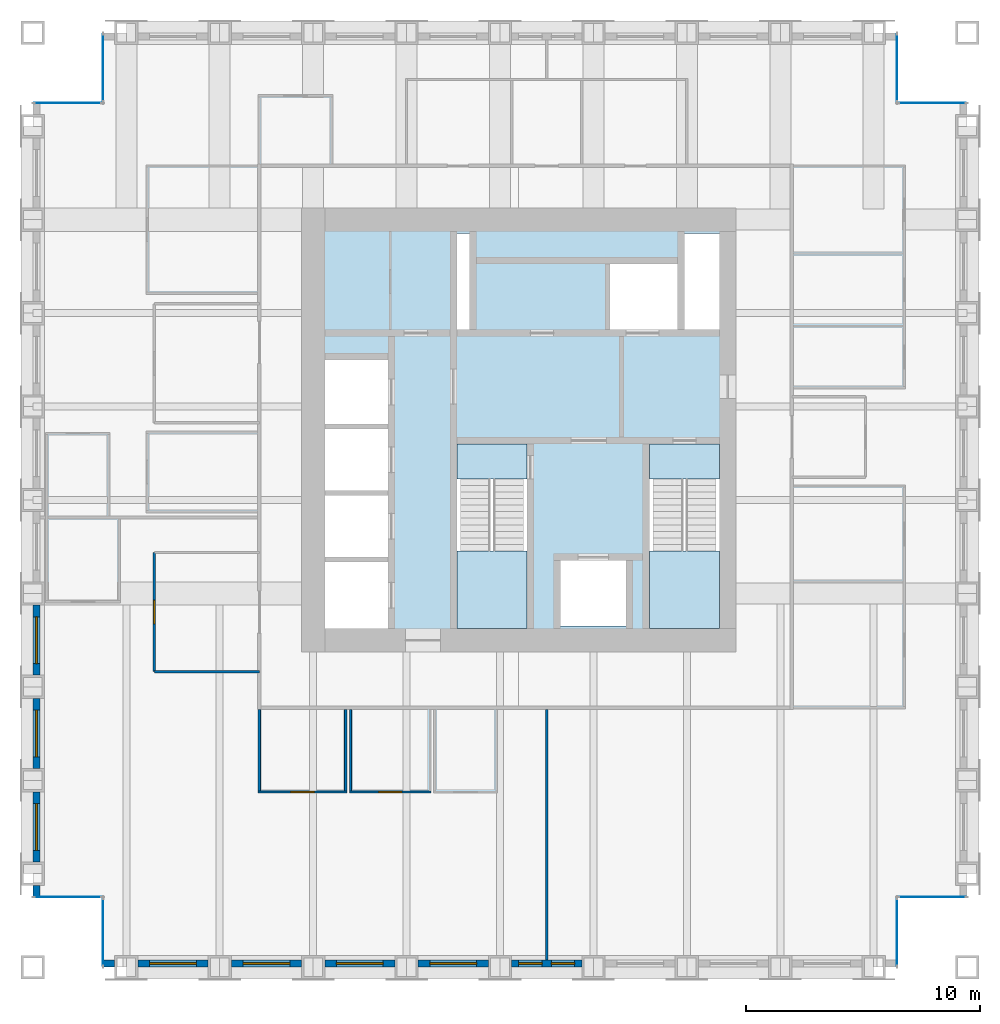
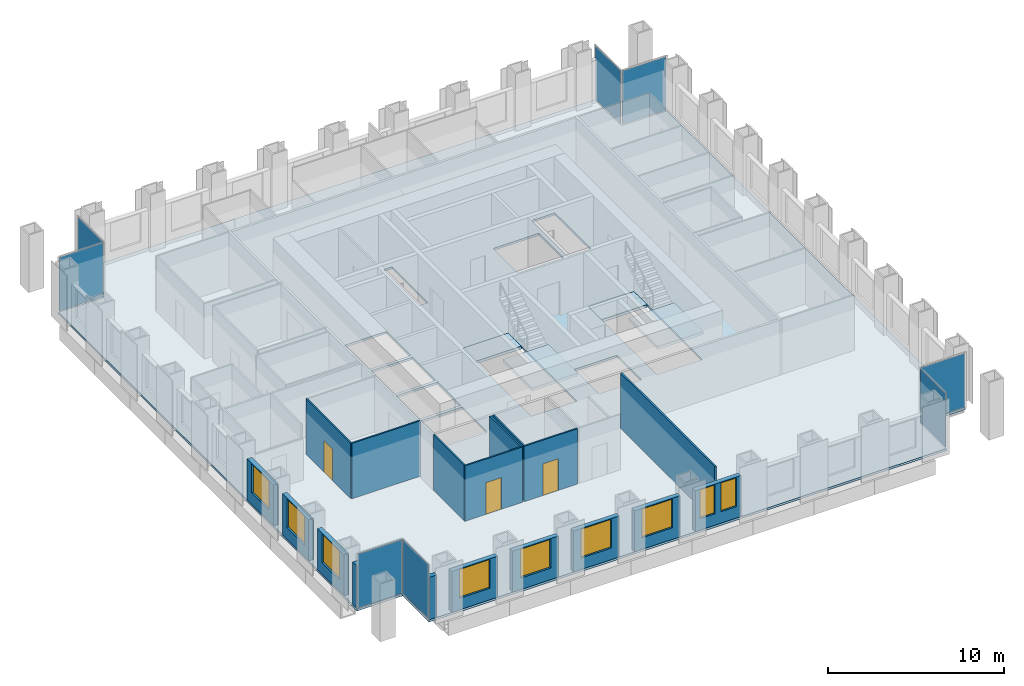
# One storey, part 7 of 13: 18 walls, 9 windows, 8 plates, 5 slabs, 3 doors, 12 openings, 10 elements without a shape of their own.
"""IFC4 building model written with IfcOpenShell, lengths in metres."""

import ifcopenshell
import ifcopenshell.guid

model = None  # the IFC model being written
_history = None  # IfcOwnerHistory: only IFC2X3 demands one
_inside = {}  # id of a spatial element -> (the spatial element, [elements in it])
_under = {}  # id of a project, library or spatial element -> (it, [spatial elements below it])
_declared = {}  # id of a project -> (the project, [libraries it declares])
_typed = {}  # id of a type object -> (the type object, [elements of that type])
_made_of = {}  # id of a material, layer set ... -> (it, [elements and type objects made of it])


def new_model(schema):
    """Start an empty IFC model of exactly this schema.

    Asked for "IFC4X3", IfcOpenShell would pick the latest addendum, in which some entities
    have other attributes; the version numbers below select the first issue.
    IFC2X3 requires an IfcOwnerHistory on every rooted entity: one is made here for all.
    """
    global model, _history
    if schema == "IFC4X3":
        model = ifcopenshell.file(schema_version=(4, 3, 0, 0))
    else:
        model = ifcopenshell.file(schema=schema)
    _inside.clear()
    _under.clear()
    _declared.clear()
    _typed.clear()
    _made_of.clear()
    _history = None
    if model.schema == "IFC2X3":
        org = make("IfcOrganization", Name="unknown")
        user = make(
            "IfcPersonAndOrganization",
            ThePerson=make("IfcPerson", FamilyName="unknown"),
            TheOrganization=org,
        )
        app = make(
            "IfcApplication",
            ApplicationDeveloper=org,
            Version="unknown",
            ApplicationFullName="unknown",
            ApplicationIdentifier="unknown",
        )
        _history = make(
            "IfcOwnerHistory",
            OwningUser=user,
            OwningApplication=app,
            ChangeAction="ADDED",
            CreationDate=0,
        )
    return model


def make(cls, **values):
    """One entity of the class cls with the attributes given. An attribute that is None is left unset."""
    return model.create_entity(
        cls, **{name: value for name, value in values.items() if value is not None}
    )


def rooted(cls, **values):
    """An entity with a GlobalId (a new one), such as an element, a storey or a relation."""
    return make(cls, GlobalId=ifcopenshell.guid.new(), OwnerHistory=_history, **values)


def si_unit(unit_type, name, prefix=None):
    """IfcSIUnit, for example si_unit("LENGTHUNIT", "METRE", prefix="MILLI")."""
    return make("IfcSIUnit", UnitType=unit_type, Prefix=prefix, Name=name)


def assignment(units):
    """IfcUnitAssignment: the units of a project."""
    return None if units is None else make("IfcUnitAssignment", Units=units)


def point(xyz):
    """IfcCartesianPoint."""
    return None if xyz is None else make("IfcCartesianPoint", Coordinates=xyz)


def direction(xyz):
    """IfcDirection."""
    return None if xyz is None else make("IfcDirection", DirectionRatios=xyz)


def frame(location, z_axis=None, x_axis=None):
    """IfcAxis2Placement3D, a coordinate frame: its origin and axes. An axis left out is left unset."""
    return make(
        "IfcAxis2Placement3D",
        Location=point(location),
        Axis=direction(z_axis),
        RefDirection=direction(x_axis),
    )


def frame_2d(location, x_axis=None):
    """IfcAxis2Placement2D, a coordinate frame in the plane: its origin and x axis."""
    return make(
        "IfcAxis2Placement2D", Location=point(location), RefDirection=direction(x_axis)
    )


def origin():
    """The frame at (0, 0, 0) with its axes left unset."""
    return frame((0.0, 0.0, 0.0))


def origin_2d():
    """The frame at (0, 0) in the plane with its x axis left unset."""
    return frame_2d((0.0, 0.0))


def place(relative_to, where):
    """IfcLocalPlacement: puts the frame where relative to a parent placement (None: the world)."""
    return make(
        "IfcLocalPlacement", PlacementRelTo=relative_to, RelativePlacement=where
    )


def context(
    kind, dimensions, precision=None, world=None, true_north=None, identifier=None
):
    """IfcGeometricRepresentationContext, for example the 3D "Model" context."""
    return make(
        "IfcGeometricRepresentationContext",
        ContextIdentifier=identifier,
        ContextType=kind,
        CoordinateSpaceDimension=dimensions,
        Precision=precision,
        WorldCoordinateSystem=world,
        TrueNorth=true_north,
    )


def subcontext(parent, identifier, kind, view, scale=None):
    """IfcGeometricRepresentationSubContext, for example "Body" below "Model"."""
    return make(
        "IfcGeometricRepresentationSubContext",
        ContextIdentifier=identifier,
        ContextType=kind,
        ParentContext=parent,
        TargetScale=scale,
        TargetView=view,
    )


def project(units=None, contexts=None):
    """IfcProject with its units and contexts."""
    return rooted(
        "IfcProject",
        Name="project",
        RepresentationContexts=contexts,
        UnitsInContext=assignment(units),
    )


def spatial(cls, under=None, at=None, **own):
    """A site, building, storey or space (cls), placed at a placement, below another one or the project."""
    s = rooted(cls, ObjectPlacement=at, **own)
    if under is not None:
        _under.setdefault(under.id(), (under, []))[1].append(s)
    return s


def polyline(points):
    """IfcPolyline through the points."""
    return make("IfcPolyline", Points=[point(p) for p in points])


def profile(cls, at=None, kind="AREA", **sizes):
    """A parametric profile (cls). Its sizes go by their IFC names, for example OverallWidth=200.0."""
    return make(cls, ProfileType=kind, Position=at, **sizes)


def rectangle(**sizes):
    """IfcRectangleProfileDef."""
    return profile("IfcRectangleProfileDef", **sizes)


def outline(outer, holes=None, kind="AREA"):
    """IfcArbitraryClosedProfileDef: a profile drawn as a closed curve; with holes, ...WithVoids."""
    if holes is None:
        return make("IfcArbitraryClosedProfileDef", ProfileType=kind, OuterCurve=outer)
    return make(
        "IfcArbitraryProfileDefWithVoids",
        ProfileType=kind,
        OuterCurve=outer,
        InnerCurves=holes,
    )


def extrude(swept, where, along, depth):
    """IfcExtrudedAreaSolid: the profile swept, set in the frame where, extruded along a direction by depth."""
    return make(
        "IfcExtrudedAreaSolid",
        SweptArea=swept,
        Position=where,
        ExtrudedDirection=direction(along),
        Depth=depth,
    )


def shape(context_of_items, identifier, shape_type, items):
    """IfcShapeRepresentation: the items that make up one representation, for example the "Body"."""
    return make(
        "IfcShapeRepresentation",
        ContextOfItems=context_of_items,
        RepresentationIdentifier=identifier,
        RepresentationType=shape_type,
        Items=items,
    )


def material(Name=None, Category=None):
    """IfcMaterial."""
    return make("IfcMaterial", Name=Name, Category=Category)


def layer(
    of_material, thickness, ventilated=None, Name=None, Category=None, Priority=None
):
    """IfcMaterialLayer: one layer of a wall or slab, of a material (None: an air gap)."""
    return make(
        "IfcMaterialLayer",
        Material=of_material,
        LayerThickness=thickness,
        IsVentilated=ventilated,
        Name=Name,
        Category=Category,
        Priority=Priority,
    )


def layer_set(layers, Name=None):
    """IfcMaterialLayerSet."""
    return make("IfcMaterialLayerSet", MaterialLayers=layers, LayerSetName=Name)


def made_of(thing, what):
    """Note that an element or type object is made of a material, layer set ...; save() writes the relation."""
    if what is not None:
        _made_of.setdefault(what.id(), (what, []))[1].append(thing)
    return thing


def type_object(cls, material=None, **own):
    """A type object (cls), such as IfcWallType, which elements share."""
    return made_of(rooted(cls, **own), material)


def element(
    cls,
    number,
    at=None,
    inside=None,
    cuts=None,
    type_object=None,
    material=None,
    context=None,
    identifier="Body",
    shape_type=None,
    held_by="IfcProductDefinitionShape",
    body=None,
    shapes=None,
    **own,
):
    """One element of the class cls, such as IfcWall. Its Tag is "e" and its number.

    at: its placement. inside: the storey or other place that contains it. cuts: it is an
    opening in that element (IfcRelVoidsElement). A single representation is given by context,
    identifier, shape_type and body (its items); several are given by shapes. held_by: the class
    of the entity that holds the representations. save() writes the other relations.
    """
    e = rooted(cls, Tag="e%d" % number, ObjectPlacement=at, **own)
    if body is not None:
        shapes = [shape(context, identifier, shape_type, body)]
    if shapes is not None:
        e.Representation = make(held_by, Representations=shapes)
    if inside is not None:
        _inside.setdefault(inside.id(), (inside, []))[1].append(e)
    if cuts is not None:
        rooted(
            "IfcRelVoidsElement", RelatingBuildingElement=cuts, RelatedOpeningElement=e
        )
    if type_object is not None:
        _typed.setdefault(type_object.id(), (type_object, []))[1].append(e)
    return made_of(e, material)


def fill(opening, filler):
    """IfcRelFillsElement: the door or window that sits in an opening."""
    return rooted(
        "IfcRelFillsElement",
        RelatingOpeningElement=opening,
        RelatedBuildingElement=filler,
    )


def aggregate(whole, parts):
    """IfcRelAggregates: a whole, such as a stair, and the parts it consists of."""
    return rooted("IfcRelAggregates", RelatingObject=whole, RelatedObjects=parts)


def save(model, path):
    """Write the relations noted so far, then the file.

    IfcRelAggregates (storeys below a building ...), IfcRelContainedInSpatialStructure (elements
    in a storey), IfcRelDefinesByType, IfcRelAssociatesMaterial and IfcRelDeclares: one each for
    every whole, place, type object, material and project.
    """
    for whole, parts in _under.values():
        aggregate(whole, parts)
    for where, things in _inside.values():
        rooted(
            "IfcRelContainedInSpatialStructure",
            RelatedElements=things,
            RelatingStructure=where,
        )
    for kind, things in _typed.values():
        rooted("IfcRelDefinesByType", RelatedObjects=things, RelatingType=kind)
    for what, things in _made_of.values():
        rooted("IfcRelAssociatesMaterial", RelatedObjects=things, RelatingMaterial=what)
    for by, libraries in _declared.values():
        rooted("IfcRelDeclares", RelatingContext=by, RelatedDefinitions=libraries)
    model.write(path)


model = new_model("IFC4")

# Units and contexts
model_context = context("Model", 3, precision=1e-05, world=origin(), true_north=direction((0.0, 1.0)))
body_context = subcontext(model_context, "Body", "Model", "MODEL_VIEW")
ifc_project = project(units=[si_unit("LENGTHUNIT", "METRE"), si_unit("AREAUNIT", "SQUARE_METRE"), si_unit("VOLUMEUNIT", "CUBIC_METRE"), si_unit("PLANEANGLEUNIT", "RADIAN"), si_unit("MASSUNIT", "GRAM", prefix="KILO")], contexts=[model_context])

# Site, building, storey
site_placement = place(None, origin())
site = spatial("IfcSite", under=ifc_project, at=site_placement, CompositionType="ELEMENT")
building_placement = place(site_placement, origin())
building = spatial("IfcBuilding", under=site, at=building_placement, Name="Rimbunsela Tower", CompositionType="ELEMENT")
storey_placement = place(building_placement, frame((0.0, 0.0, 294.199951171875)))
storey = spatial("IfcBuildingStorey", under=building, at=storey_placement, Name="L71", CompositionType="ELEMENT", Elevation=294.199951171875)

# Slab
ifc_material_1 = material(Name="Concrete fc' 35 MPa", Category="concrete")
ifc_layer_1 = layer(ifc_material_1, 0.14990234375)
ifc_layer_set_1 = layer_set([ifc_layer_1], Name="Floor slab 150")
slab_type_1 = type_object("IfcSlabType", Name="Floor slab 150", PredefinedType="FLOOR", material=ifc_layer_set_1)
slab_1_placement = place(storey_placement, frame((0.0, 0.0, -0.14990234375)))
element("IfcSlab", 1, at=slab_1_placement, inside=storey, type_object=slab_type_1, Name="Floor slab L71", PredefinedType="FLOOR", context=body_context, shape_type="SweptSolid", body=[
    extrude(outline(polyline([(9.0, 4.0), (43.0, 4.0), (43.0, 7.0), (46.0, 7.0), (46.0, 41.0), (43.0, 41.0), (43.0, 44.0), (9.0, 44.0), (9.0, 41.0), (6.0, 41.0), (6.0, 7.0), (9.0, 7.0), (9.0, 4.0)]), holes=[polyline([(21.199951171875, 21.35009765625), (18.5, 21.35009765625), (18.5, 18.5), (21.199951171875, 18.5), (21.199951171875, 21.35009765625)]), polyline([(21.199951171875, 21.550048828125), (21.199951171875, 24.199951171875), (18.5, 24.199951171875), (18.5, 21.550048828125), (21.199951171875, 21.550048828125)]), polyline([(21.199951171875, 27.050048828125), (18.5, 27.050048828125), (18.5, 24.39990234375), (21.199951171875, 24.39990234375), (21.199951171875, 27.050048828125)]), polyline([(21.199951171875, 30.0), (18.5, 30.0), (18.5, 27.25), (21.199951171875, 27.25), (21.199951171875, 30.0)]), polyline([(27.14990234375, 26.39990234375), (24.14990234375, 26.39990234375), (24.14990234375, 18.60009765625), (27.14990234375, 18.60009765625), (27.14990234375, 26.39990234375)]), polyline([(24.699951171875, 31.300048828125), (24.699951171875, 35.39990234375), (24.14990234375, 35.39990234375), (24.14990234375, 31.300048828125), (24.699951171875, 31.300048828125)]), polyline([(31.39990234375, 21.39990234375), (28.60009765625, 21.39990234375), (28.60009765625, 18.60009765625), (31.39990234375, 18.60009765625), (31.39990234375, 21.39990234375)]), polyline([(33.60009765625, 34.10009765625), (30.60009765625, 34.10009765625), (30.60009765625, 31.300048828125), (33.60009765625, 31.300048828125), (33.60009765625, 34.10009765625)]), polyline([(35.39990234375, 18.60009765625), (35.39990234375, 26.39990234375), (32.39990234375, 26.39990234375), (32.39990234375, 18.60009765625), (35.39990234375, 18.60009765625)]), polyline([(35.39990234375, 31.300048828125), (35.39990234375, 35.39990234375), (33.89990234375, 35.39990234375), (33.89990234375, 31.300048828125), (35.39990234375, 31.300048828125)])]), origin(), (0.0, 0.0, 1.0), 0.14990234375),
])

# Curtain wall, plate
ifc_material_2 = material(Name="Aluminium curtain wall", Category="aluminium")
curtain_wall_type = type_object("IfcCurtainWallType", Name="Corner glazing", PredefinedType="USERDEFINED", material=ifc_material_2)
curtain_wall_1_placement = place(storey_placement, origin())
curtain_wall_1 = element("IfcCurtainWall", 2, at=curtain_wall_1_placement, inside=storey, type_object=curtain_wall_type, Name="Corner glazing L71", ObjectType="CORNER GLAZING", PredefinedType="USERDEFINED")
ifc_material_3 = material(Name="Clear double glazing", Category="glass")
ifc_layer_2 = layer(ifc_material_3, 0.028076171875)
ifc_layer_set_2 = layer_set([ifc_layer_2], Name="Glazed panel clear")
plate_type = type_object("IfcPlateType", Name="Glazed panel clear", PredefinedType="CURTAIN_PANEL", material=ifc_layer_set_2)
plate_1_placement = place(storey_placement, frame((43.0, 5.5, 0.06005859375), z_axis=(0.0, 0.0, 1.0), x_axis=(0.0, 1.0, 0.0)))
plate_1 = element("IfcPlate", 3, at=plate_1_placement, type_object=plate_type, Name="CW5 panel 1.1", PredefinedType="CURTAIN_PANEL", context=body_context, shape_type="SweptSolid", body=[
    extrude(rectangle(XDim=2.8798828125, YDim=0.028076171875, at=origin_2d()), origin(), (0.0, 0.0, 1.0), 3.72998046875),
])
aggregate(curtain_wall_1, [plate_1])

curtain_wall_2_placement = place(storey_placement, origin())
curtain_wall_2 = element("IfcCurtainWall", 4, at=curtain_wall_2_placement, inside=storey, type_object=curtain_wall_type, Name="Corner glazing L71", ObjectType="CORNER GLAZING", PredefinedType="USERDEFINED")
plate_2_placement = place(storey_placement, frame((44.5, 7.0, 0.06005859375), z_axis=(0.0, 0.0, 1.0), x_axis=(1.0, 0.0, 0.0)))
plate_2 = element("IfcPlate", 5, at=plate_2_placement, type_object=plate_type, Name="CW5 panel 1.1", PredefinedType="CURTAIN_PANEL", context=body_context, shape_type="SweptSolid", body=[
    extrude(rectangle(XDim=2.8798828125, YDim=0.028076171875, at=origin_2d()), origin(), (0.0, 0.0, 1.0), 3.72998046875),
])
aggregate(curtain_wall_2, [plate_2])

curtain_wall_3_placement = place(storey_placement, origin())
curtain_wall_3 = element("IfcCurtainWall", 6, at=curtain_wall_3_placement, inside=storey, type_object=curtain_wall_type, Name="Corner glazing L71", ObjectType="CORNER GLAZING", PredefinedType="USERDEFINED")
plate_3_placement = place(storey_placement, frame((44.5, 41.0, 0.06005859375), z_axis=(0.0, 0.0, 1.0), x_axis=(-1.0, 0.0, 0.0)))
plate_3 = element("IfcPlate", 7, at=plate_3_placement, type_object=plate_type, Name="CW5 panel 1.1", PredefinedType="CURTAIN_PANEL", context=body_context, shape_type="SweptSolid", body=[
    extrude(rectangle(XDim=2.8798828125, YDim=0.028076171875, at=origin_2d()), origin(), (0.0, 0.0, 1.0), 3.72998046875),
])
aggregate(curtain_wall_3, [plate_3])

curtain_wall_4_placement = place(storey_placement, origin())
curtain_wall_4 = element("IfcCurtainWall", 8, at=curtain_wall_4_placement, inside=storey, type_object=curtain_wall_type, Name="Corner glazing L71", ObjectType="CORNER GLAZING", PredefinedType="USERDEFINED")
plate_4_placement = place(storey_placement, frame((43.0, 42.5, 0.06005859375), z_axis=(0.0, 0.0, 1.0), x_axis=(0.0, 1.0, 0.0)))
plate_4 = element("IfcPlate", 9, at=plate_4_placement, type_object=plate_type, Name="CW5 panel 1.1", PredefinedType="CURTAIN_PANEL", context=body_context, shape_type="SweptSolid", body=[
    extrude(rectangle(XDim=2.8798828125, YDim=0.028076171875, at=origin_2d()), origin(), (0.0, 0.0, 1.0), 3.72998046875),
])
aggregate(curtain_wall_4, [plate_4])

curtain_wall_5_placement = place(storey_placement, origin())
curtain_wall_5 = element("IfcCurtainWall", 10, at=curtain_wall_5_placement, inside=storey, type_object=curtain_wall_type, Name="Corner glazing L71", ObjectType="CORNER GLAZING", PredefinedType="USERDEFINED")
plate_5_placement = place(storey_placement, frame((9.0, 42.5, 0.06005859375), z_axis=(0.0, 0.0, 1.0), x_axis=(0.0, -1.0, 0.0)))
plate_5 = element("IfcPlate", 11, at=plate_5_placement, type_object=plate_type, Name="CW5 panel 1.1", PredefinedType="CURTAIN_PANEL", context=body_context, shape_type="SweptSolid", body=[
    extrude(rectangle(XDim=2.8798828125, YDim=0.028076171875, at=origin_2d()), origin(), (0.0, 0.0, 1.0), 3.72998046875),
])
aggregate(curtain_wall_5, [plate_5])

curtain_wall_6_placement = place(storey_placement, origin())
curtain_wall_6 = element("IfcCurtainWall", 12, at=curtain_wall_6_placement, inside=storey, type_object=curtain_wall_type, Name="Corner glazing L71", ObjectType="CORNER GLAZING", PredefinedType="USERDEFINED")
plate_6_placement = place(storey_placement, frame((7.5, 41.0, 0.06005859375), z_axis=(0.0, 0.0, 1.0), x_axis=(-1.0, 0.0, 0.0)))
plate_6 = element("IfcPlate", 13, at=plate_6_placement, type_object=plate_type, Name="CW5 panel 1.1", PredefinedType="CURTAIN_PANEL", context=body_context, shape_type="SweptSolid", body=[
    extrude(rectangle(XDim=2.8798828125, YDim=0.028076171875, at=origin_2d()), origin(), (0.0, 0.0, 1.0), 3.72998046875),
])
aggregate(curtain_wall_6, [plate_6])

curtain_wall_7_placement = place(storey_placement, origin())
curtain_wall_7 = element("IfcCurtainWall", 14, at=curtain_wall_7_placement, inside=storey, type_object=curtain_wall_type, Name="Corner glazing L71", ObjectType="CORNER GLAZING", PredefinedType="USERDEFINED")
plate_7_placement = place(storey_placement, frame((7.5, 7.0, 0.06005859375), z_axis=(0.0, 0.0, 1.0), x_axis=(1.0, 0.0, 0.0)))
plate_7 = element("IfcPlate", 15, at=plate_7_placement, type_object=plate_type, Name="CW5 panel 1.1", PredefinedType="CURTAIN_PANEL", context=body_context, shape_type="SweptSolid", body=[
    extrude(rectangle(XDim=2.8798828125, YDim=0.028076171875, at=origin_2d()), origin(), (0.0, 0.0, 1.0), 3.72998046875),
])
aggregate(curtain_wall_7, [plate_7])

curtain_wall_8_placement = place(storey_placement, origin())
curtain_wall_8 = element("IfcCurtainWall", 16, at=curtain_wall_8_placement, inside=storey, type_object=curtain_wall_type, Name="Corner glazing L71", ObjectType="CORNER GLAZING", PredefinedType="USERDEFINED")
plate_8_placement = place(storey_placement, frame((9.0, 5.5, 0.06005859375), z_axis=(0.0, 0.0, 1.0), x_axis=(0.0, -1.0, 0.0)))
plate_8 = element("IfcPlate", 17, at=plate_8_placement, type_object=plate_type, Name="CW5 panel 1.1", PredefinedType="CURTAIN_PANEL", context=body_context, shape_type="SweptSolid", body=[
    extrude(rectangle(XDim=2.8798828125, YDim=0.028076171875, at=origin_2d()), origin(), (0.0, 0.0, 1.0), 3.72998046875),
])
aggregate(curtain_wall_8, [plate_8])

# Stair, slabs
ifc_material_4 = material(Name="Concrete fc' 35 MPa", Category="concrete")
stair_type = type_object("IfcStairType", Name="Exit stair 24 risers", PredefinedType="HALF_TURN_STAIR", material=ifc_material_4)
stair_1_placement = place(storey_placement, origin())
stair_1 = element("IfcStair", 18, at=stair_1_placement, inside=storey, type_object=stair_type, Name="Exit stair A L71", PredefinedType="HALF_TURN_STAIR")
ifc_material_5 = material(Name="Concrete fc' 35 MPa", Category="concrete")
ifc_layer_3 = layer(ifc_material_5, 0.199951171875)
ifc_layer_set_3 = layer_set([ifc_layer_3], Name="Stair landing 200")
slab_type_2 = type_object("IfcSlabType", Name="Stair landing 200", PredefinedType="LANDING", material=ifc_layer_set_3)
slab_2_placement = place(storey_placement, frame((0.0, 0.0, -0.199951171875)))
slab_2 = element("IfcSlab", 19, at=slab_2_placement, type_object=slab_type_2, Name="ST-A landing 1", PredefinedType="LANDING", context=body_context, shape_type="SweptSolid", body=[
    extrude(outline(polyline([(24.14990234375, 24.89990234375), (27.14990234375, 24.89990234375), (27.14990234375, 26.39990234375), (24.14990234375, 26.39990234375), (24.14990234375, 24.89990234375)])), origin(), (0.0, 0.0, 1.0), 0.199951171875),
])
slab_3_placement = place(storey_placement, frame((0.0, 0.0, 1.800048828125)))
slab_3 = element("IfcSlab", 20, at=slab_3_placement, type_object=slab_type_2, Name="ST-A landing 2", PredefinedType="LANDING", context=body_context, shape_type="SweptSolid", body=[
    extrude(outline(polyline([(24.14990234375, 18.5), (27.14990234375, 18.5), (27.14990234375, 21.820068359375), (24.14990234375, 21.820068359375), (24.14990234375, 18.5)])), origin(), (0.0, 0.0, 1.0), 0.199951171875),
])
aggregate(stair_1, [slab_2, slab_3])

stair_2_placement = place(storey_placement, origin())
stair_2 = element("IfcStair", 21, at=stair_2_placement, inside=storey, type_object=stair_type, Name="Exit stair B L71", PredefinedType="HALF_TURN_STAIR")
slab_4_placement = place(storey_placement, frame((0.0, 0.0, -0.199951171875)))
slab_4 = element("IfcSlab", 22, at=slab_4_placement, type_object=slab_type_2, Name="ST-B landing 1", PredefinedType="LANDING", context=body_context, shape_type="SweptSolid", body=[
    extrude(outline(polyline([(32.39990234375, 24.89990234375), (35.39990234375, 24.89990234375), (35.39990234375, 26.39990234375), (32.39990234375, 26.39990234375), (32.39990234375, 24.89990234375)])), origin(), (0.0, 0.0, 1.0), 0.199951171875),
])
slab_5_placement = place(storey_placement, frame((0.0, 0.0, 1.800048828125)))
slab_5 = element("IfcSlab", 23, at=slab_5_placement, type_object=slab_type_2, Name="ST-B landing 2", PredefinedType="LANDING", context=body_context, shape_type="SweptSolid", body=[
    extrude(outline(polyline([(32.39990234375, 18.5), (35.39990234375, 18.5), (35.39990234375, 21.820068359375), (32.39990234375, 21.820068359375), (32.39990234375, 18.5)])), origin(), (0.0, 0.0, 1.0), 0.199951171875),
])
aggregate(stair_2, [slab_4, slab_5])

# Wall, opening, door
ifc_material_6 = material(Name="Gypsum board on steel studs", Category="steel")
ifc_layer_4 = layer(ifc_material_6, 0.10009765625)
ifc_layer_set_4 = layer_set([ifc_layer_4], Name="Office partition 100")
wall_type_1 = type_object("IfcWallType", Name="Office partition 100", PredefinedType="PARTITIONING", material=ifc_layer_set_4)
wall_1_placement = place(storey_placement, frame((15.64990234375, 11.5, 0.0), z_axis=(0.0, 0.0, 1.0), x_axis=(1.0, 0.0, 0.0)))
wall_1 = element("IfcWall", 24, at=wall_1_placement, inside=storey, type_object=wall_type_1, Name="Office partition", PredefinedType="PARTITIONING", context=body_context, shape_type="SweptSolid", body=[
    extrude(rectangle(XDim=3.800048828125, YDim=0.10009765625, at=frame_2d((1.89990234375, 0.0))), origin(), (0.0, 0.0, 1.0), 3.85009765625),
])
opening_1_placement = place(wall_1_placement, frame((1.39990234375, 0.0, 0.0)))
opening_1 = element("IfcOpeningElement", 25, at=opening_1_placement, cuts=wall_1, Name="Opening D17", PredefinedType="OPENING", context=body_context, shape_type="SweptSolid", body=[
    extrude(rectangle(XDim=1.0, YDim=2.199951171875, at=frame_2d((0.5, 1.10009765625))), frame((0.0, 0.06005859375, 0.0), z_axis=(0.0, -1.0, 0.0), x_axis=(1.0, 0.0, 0.0)), (0.0, 0.0, 1.0), 0.1201171875),
])
ifc_material_7 = material(Name="Glazed aluminium door", Category="aluminium")
door_type_1 = type_object("IfcDoorType", Name="Meeting room door 1000 glazed", OperationType="SINGLE_SWING_RIGHT", PredefinedType="DOOR", material=ifc_material_7)
door_1_placement = place(opening_1_placement, origin())
door_1 = element("IfcDoor", 26, at=door_1_placement, inside=storey, type_object=door_type_1, Name="Meeting room door", OperationType="SINGLE_SWING_RIGHT", OverallHeight=2.199951171875, OverallWidth=1.0, PredefinedType="DOOR", context=body_context, shape_type="SweptSolid", body=[
    extrude(rectangle(XDim=1.0, YDim=2.199951171875, at=frame_2d((0.5, 1.10009765625))), frame((0.0, 0.02490234375, 0.0), z_axis=(0.0, -1.0, 0.0), x_axis=(1.0, 0.0, 0.0)), (0.0, 0.0, 1.0), 0.050048828125),
])
fill(opening_1, door_1)

wall_2_placement = place(storey_placement, frame((19.550048828125, 11.5, 0.0), z_axis=(0.0, 0.0, 1.0), x_axis=(1.0, 0.0, 0.0)))
wall_2 = element("IfcWall", 27, at=wall_2_placement, inside=storey, type_object=wall_type_1, Name="Office partition", PredefinedType="PARTITIONING", context=body_context, shape_type="SweptSolid", body=[
    extrude(rectangle(XDim=3.5, YDim=0.10009765625, at=frame_2d((1.75, 0.0))), origin(), (0.0, 0.0, 1.0), 3.85009765625),
])
opening_2_placement = place(wall_2_placement, frame((1.25, 0.0, 0.0)))
opening_2 = element("IfcOpeningElement", 28, at=opening_2_placement, cuts=wall_2, Name="Opening D16", PredefinedType="OPENING", context=body_context, shape_type="SweptSolid", body=[
    extrude(rectangle(XDim=1.0, YDim=2.199951171875, at=frame_2d((0.5, 1.10009765625))), frame((0.0, 0.06005859375, 0.0), z_axis=(0.0, -1.0, 0.0), x_axis=(1.0, 0.0, 0.0)), (0.0, 0.0, 1.0), 0.1201171875),
])
ifc_material_8 = material(Name="Timber door", Category="wood")
door_type_2 = type_object("IfcDoorType", Name="Office door 1000", OperationType="SINGLE_SWING_LEFT", PredefinedType="DOOR", material=ifc_material_8)
door_2_placement = place(opening_2_placement, origin())
door_2 = element("IfcDoor", 29, at=door_2_placement, inside=storey, type_object=door_type_2, Name="Office door", OperationType="SINGLE_SWING_LEFT", OverallHeight=2.199951171875, OverallWidth=1.0, PredefinedType="DOOR", context=body_context, shape_type="SweptSolid", body=[
    extrude(rectangle(XDim=1.0, YDim=2.199951171875, at=frame_2d((0.5, 1.10009765625))), frame((0.0, 0.02490234375, 0.0), z_axis=(0.0, -1.0, 0.0), x_axis=(1.0, 0.0, 0.0)), (0.0, 0.0, 1.0), 0.050048828125),
])
fill(opening_2, door_2)

# Walls
for number, where, z_axis, x_axis, name in (
    (30, (15.699951171875, 11.550048828125, 0.0), (0.0, 0.0, 1.0), (0.0, 1.0, 0.0), "Office partition"),
    (31, (19.39990234375, 11.550048828125, 0.0), (0.0, 0.0, 1.0), (0.0, 1.0, 0.0), "Office partition"),
    (32, (19.60009765625, 11.550048828125, 0.0), (0.0, 0.0, 1.0), (0.0, 1.0, 0.0), "Office partition"),
):
    element("IfcWall", number, at=place(storey_placement, frame(where, z_axis=z_axis, x_axis=x_axis)), inside=storey, type_object=wall_type_1, Name=name, PredefinedType="PARTITIONING", context=body_context, shape_type="SweptSolid", body=[
        extrude(rectangle(XDim=3.474853515625, YDim=0.10009765625, at=frame_2d((1.7373046875, 0.0))), origin(), (0.0, 0.0, 1.0), 3.85009765625),
    ])

# Wall, opening, door
wall_3_placement = place(storey_placement, frame((11.199951171875, 21.75, 0.0), z_axis=(0.0, 0.0, 1.0), x_axis=(0.0, -1.0, 0.0)))
wall_3 = element("IfcWall", 33, at=wall_3_placement, inside=storey, type_object=wall_type_1, Name="Office partition", PredefinedType="PARTITIONING", context=body_context, shape_type="SweptSolid", body=[
    extrude(rectangle(XDim=5.10009765625, YDim=0.10009765625, at=frame_2d((2.550048828125, 0.0))), origin(), (0.0, 0.0, 1.0), 3.85009765625),
])
opening_3_placement = place(wall_3_placement, frame((2.050048828125, 0.0, 0.0)))
opening_3 = element("IfcOpeningElement", 34, at=opening_3_placement, cuts=wall_3, Name="Opening D17", PredefinedType="OPENING", context=body_context, shape_type="SweptSolid", body=[
    extrude(rectangle(XDim=1.0, YDim=2.199951171875, at=frame_2d((0.5, 1.10009765625))), frame((0.0, 0.06005859375, 0.0), z_axis=(0.0, -1.0, 0.0), x_axis=(1.0, 0.0, 0.0)), (0.0, 0.0, 1.0), 0.1201171875),
])
door_3_placement = place(opening_3_placement, origin())
door_3 = element("IfcDoor", 35, at=door_3_placement, inside=storey, type_object=door_type_1, Name="Reception door", OperationType="SINGLE_SWING_RIGHT", OverallHeight=2.199951171875, OverallWidth=1.0, PredefinedType="DOOR", context=body_context, shape_type="SweptSolid", body=[
    extrude(rectangle(XDim=1.0, YDim=2.199951171875, at=frame_2d((0.5, 1.10009765625))), frame((0.0, 0.02490234375, 0.0), z_axis=(0.0, -1.0, 0.0), x_axis=(1.0, 0.0, 0.0)), (0.0, 0.0, 1.0), 0.050048828125),
])
fill(opening_3, door_3)

# Walls
wall_4_placement = place(storey_placement, frame((11.199951171875, 16.64990234375, 0.0), z_axis=(0.0, 0.0, 1.0), x_axis=(1.0, 0.0, 0.0)))
element("IfcWall", 36, at=wall_4_placement, inside=storey, type_object=wall_type_1, Name="Office partition", PredefinedType="PARTITIONING", context=body_context, shape_type="SweptSolid", body=[
    extrude(rectangle(XDim=4.5, YDim=0.10009765625, at=frame_2d((2.25, 0.0))), origin(), (0.0, 0.0, 1.0), 3.85009765625),
])
ifc_material_9 = material(Name="Precast concrete fc' 35 MPa", Category="concrete")
ifc_layer_5 = layer(ifc_material_9, 0.300048828125)
ifc_layer_set_5 = layer_set([ifc_layer_5], Name="Precast concrete fc' 35 MPa")
wall_type_2 = type_object("IfcWallType", Name="Precast facade panel 300", PredefinedType="ELEMENTEDWALL", material=ifc_layer_set_5)
wall_5_placement = place(storey_placement, frame((9.030029296875, 4.14990234375, 0.0), z_axis=(0.0, 0.0, 1.0), x_axis=(1.0, 0.0, 0.0)))
element("IfcWall", 37, at=wall_5_placement, inside=storey, type_object=wall_type_2, Name="Facade panel S L71", PredefinedType="ELEMENTEDWALL", context=body_context, shape_type="SweptSolid", body=[
    extrude(rectangle(XDim=0.469970703125, YDim=0.300048828125, at=frame_2d((0.23486328125, 0.0))), origin(), (0.0, 0.0, 1.0), 2.949951171875),
])

# Wall, opening, window
wall_6_placement = place(storey_placement, frame((10.5, 4.14990234375, 0.0), z_axis=(0.0, 0.0, 1.0), x_axis=(1.0, 0.0, 0.0)))
wall_6 = element("IfcWall", 38, at=wall_6_placement, inside=storey, type_object=wall_type_2, Name="Facade panel S L71", PredefinedType="ELEMENTEDWALL", context=body_context, shape_type="SweptSolid", body=[
    extrude(rectangle(XDim=3.0, YDim=0.300048828125, at=frame_2d((1.5, 0.0))), origin(), (0.0, 0.0, 1.0), 2.85009765625),
])
opening_4_placement = place(wall_6_placement, frame((0.5, 0.0, 0.800048828125)))
opening_4 = element("IfcOpeningElement", 39, at=opening_4_placement, cuts=wall_6, Name="Opening W1", PredefinedType="OPENING", context=body_context, shape_type="SweptSolid", body=[
    extrude(rectangle(XDim=2.0, YDim=2.0, at=frame_2d((1.0, 1.0))), frame((0.0, 0.159912109375, 0.0), z_axis=(0.0, -1.0, 0.0), x_axis=(1.0, 0.0, 0.0)), (0.0, 0.0, 1.0), 0.320068359375),
])
ifc_material_10 = material(Name="Clear glass in aluminium frame", Category="aluminium")
window_type_1 = type_object("IfcWindowType", Name="Window W1 2000x2000", PartitioningType="DOUBLE_PANEL_VERTICAL", PredefinedType="WINDOW", material=ifc_material_10)
window_1_placement = place(opening_4_placement, origin())
window_1 = element("IfcWindow", 40, at=window_1_placement, inside=storey, type_object=window_type_1, Name="Window L71", OverallHeight=2.0, OverallWidth=2.0, PartitioningType="SINGLE_PANEL", PredefinedType="WINDOW", context=body_context, shape_type="SweptSolid", body=[
    extrude(rectangle(XDim=2.0, YDim=2.0, at=frame_2d((1.0, 1.0))), frame((0.0, 0.030029296875, 0.0), z_axis=(0.0, -1.0, 0.0), x_axis=(1.0, 0.0, 0.0)), (0.0, 0.0, 1.0), 0.06005859375),
])
fill(opening_4, window_1)

wall_7_placement = place(storey_placement, frame((14.5, 4.14990234375, 0.0), z_axis=(0.0, 0.0, 1.0), x_axis=(1.0, 0.0, 0.0)))
wall_7 = element("IfcWall", 41, at=wall_7_placement, inside=storey, type_object=wall_type_2, Name="Facade panel S L71", PredefinedType="ELEMENTEDWALL", context=body_context, shape_type="SweptSolid", body=[
    extrude(rectangle(XDim=3.0, YDim=0.300048828125, at=frame_2d((1.5, 0.0))), origin(), (0.0, 0.0, 1.0), 2.85009765625),
])
opening_5_placement = place(wall_7_placement, frame((0.5, 0.0, 0.800048828125)))
opening_5 = element("IfcOpeningElement", 42, at=opening_5_placement, cuts=wall_7, Name="Opening W1", PredefinedType="OPENING", context=body_context, shape_type="SweptSolid", body=[
    extrude(rectangle(XDim=2.0, YDim=2.0, at=frame_2d((1.0, 1.0))), frame((0.0, 0.159912109375, 0.0), z_axis=(0.0, -1.0, 0.0), x_axis=(1.0, 0.0, 0.0)), (0.0, 0.0, 1.0), 0.320068359375),
])
window_2_placement = place(opening_5_placement, origin())
window_2 = element("IfcWindow", 43, at=window_2_placement, inside=storey, type_object=window_type_1, Name="Window L71", OverallHeight=2.0, OverallWidth=2.0, PartitioningType="SINGLE_PANEL", PredefinedType="WINDOW", context=body_context, shape_type="SweptSolid", body=[
    extrude(rectangle(XDim=2.0, YDim=2.0, at=frame_2d((1.0, 1.0))), frame((0.0, 0.030029296875, 0.0), z_axis=(0.0, -1.0, 0.0), x_axis=(1.0, 0.0, 0.0)), (0.0, 0.0, 1.0), 0.06005859375),
])
fill(opening_5, window_2)

wall_8_placement = place(storey_placement, frame((18.5, 4.14990234375, 0.0), z_axis=(0.0, 0.0, 1.0), x_axis=(1.0, 0.0, 0.0)))
wall_8 = element("IfcWall", 44, at=wall_8_placement, inside=storey, type_object=wall_type_2, Name="Facade panel S L71", PredefinedType="ELEMENTEDWALL", context=body_context, shape_type="SweptSolid", body=[
    extrude(rectangle(XDim=3.0, YDim=0.300048828125, at=frame_2d((1.5, 0.0))), origin(), (0.0, 0.0, 1.0), 2.85009765625),
])
opening_6_placement = place(wall_8_placement, frame((0.5, 0.0, 0.800048828125)))
opening_6 = element("IfcOpeningElement", 45, at=opening_6_placement, cuts=wall_8, Name="Opening W1", PredefinedType="OPENING", context=body_context, shape_type="SweptSolid", body=[
    extrude(rectangle(XDim=2.0, YDim=2.0, at=frame_2d((1.0, 1.0))), frame((0.0, 0.159912109375, 0.0), z_axis=(0.0, -1.0, 0.0), x_axis=(1.0, 0.0, 0.0)), (0.0, 0.0, 1.0), 0.320068359375),
])
window_3_placement = place(opening_6_placement, origin())
window_3 = element("IfcWindow", 46, at=window_3_placement, inside=storey, type_object=window_type_1, Name="Window L71", OverallHeight=2.0, OverallWidth=2.0, PartitioningType="SINGLE_PANEL", PredefinedType="WINDOW", context=body_context, shape_type="SweptSolid", body=[
    extrude(rectangle(XDim=2.0, YDim=2.0, at=frame_2d((1.0, 1.0))), frame((0.0, 0.030029296875, 0.0), z_axis=(0.0, -1.0, 0.0), x_axis=(1.0, 0.0, 0.0)), (0.0, 0.0, 1.0), 0.06005859375),
])
fill(opening_6, window_3)

wall_9_placement = place(storey_placement, frame((22.5, 4.14990234375, 0.0), z_axis=(0.0, 0.0, 1.0), x_axis=(1.0, 0.0, 0.0)))
wall_9 = element("IfcWall", 47, at=wall_9_placement, inside=storey, type_object=wall_type_2, Name="Facade panel S L71", PredefinedType="ELEMENTEDWALL", context=body_context, shape_type="SweptSolid", body=[
    extrude(rectangle(XDim=3.0, YDim=0.300048828125, at=frame_2d((1.5, 0.0))), origin(), (0.0, 0.0, 1.0), 2.85009765625),
])
opening_7_placement = place(wall_9_placement, frame((0.5, 0.0, 0.800048828125)))
opening_7 = element("IfcOpeningElement", 48, at=opening_7_placement, cuts=wall_9, Name="Opening W1", PredefinedType="OPENING", context=body_context, shape_type="SweptSolid", body=[
    extrude(rectangle(XDim=2.0, YDim=2.0, at=frame_2d((1.0, 1.0))), frame((0.0, 0.159912109375, 0.0), z_axis=(0.0, -1.0, 0.0), x_axis=(1.0, 0.0, 0.0)), (0.0, 0.0, 1.0), 0.320068359375),
])
window_4_placement = place(opening_7_placement, origin())
window_4 = element("IfcWindow", 49, at=window_4_placement, inside=storey, type_object=window_type_1, Name="Window L71", OverallHeight=2.0, OverallWidth=2.0, PartitioningType="SINGLE_PANEL", PredefinedType="WINDOW", context=body_context, shape_type="SweptSolid", body=[
    extrude(rectangle(XDim=2.0, YDim=2.0, at=frame_2d((1.0, 1.0))), frame((0.0, 0.030029296875, 0.0), z_axis=(0.0, -1.0, 0.0), x_axis=(1.0, 0.0, 0.0)), (0.0, 0.0, 1.0), 0.06005859375),
])
fill(opening_7, window_4)

# Wall, openings, windows
wall_10_placement = place(storey_placement, frame((26.5, 4.14990234375, 0.0), z_axis=(0.0, 0.0, 1.0), x_axis=(1.0, 0.0, 0.0)))
wall_10 = element("IfcWall", 50, at=wall_10_placement, inside=storey, type_object=wall_type_2, Name="Facade panel S L71", PredefinedType="ELEMENTEDWALL", context=body_context, shape_type="SweptSolid", body=[
    extrude(rectangle(XDim=3.0, YDim=0.300048828125, at=frame_2d((1.5, 0.0))), origin(), (0.0, 0.0, 1.0), 2.85009765625),
])
opening_8_placement = place(wall_10_placement, frame((0.300048828125, 0.0, 0.800048828125)))
opening_8 = element("IfcOpeningElement", 51, at=opening_8_placement, cuts=wall_10, Name="Opening W5", PredefinedType="OPENING", context=body_context, shape_type="SweptSolid", body=[
    extrude(rectangle(XDim=1.0, YDim=2.0, at=frame_2d((0.5, 1.0))), frame((0.0, 0.159912109375, 0.0), z_axis=(0.0, -1.0, 0.0), x_axis=(1.0, 0.0, 0.0)), (0.0, 0.0, 1.0), 0.320068359375),
])
opening_9_placement = place(wall_10_placement, frame((1.699951171875, 0.0, 0.800048828125)))
opening_9 = element("IfcOpeningElement", 52, at=opening_9_placement, cuts=wall_10, Name="Opening W5", PredefinedType="OPENING", context=body_context, shape_type="SweptSolid", body=[
    extrude(rectangle(XDim=1.0, YDim=2.0, at=frame_2d((0.5, 1.0))), frame((0.0, 0.159912109375, 0.0), z_axis=(0.0, -1.0, 0.0), x_axis=(1.0, 0.0, 0.0)), (0.0, 0.0, 1.0), 0.320068359375),
])
ifc_material_11 = material(Name="Clear glass in aluminium frame", Category="aluminium")
window_type_2 = type_object("IfcWindowType", Name="Window W5 1000x2000", PartitioningType="SINGLE_PANEL", PredefinedType="WINDOW", material=ifc_material_11)
window_5_placement = place(opening_8_placement, origin())
window_5 = element("IfcWindow", 53, at=window_5_placement, inside=storey, type_object=window_type_2, Name="Window L71", OverallHeight=2.0, OverallWidth=1.0, PartitioningType="SINGLE_PANEL", PredefinedType="WINDOW", context=body_context, shape_type="SweptSolid", body=[
    extrude(rectangle(XDim=1.0, YDim=2.0, at=frame_2d((0.5, 1.0))), frame((0.0, 0.030029296875, 0.0), z_axis=(0.0, -1.0, 0.0), x_axis=(1.0, 0.0, 0.0)), (0.0, 0.0, 1.0), 0.06005859375),
])
fill(opening_8, window_5)
window_6_placement = place(opening_9_placement, origin())
window_6 = element("IfcWindow", 54, at=window_6_placement, inside=storey, type_object=window_type_2, Name="Window L71", OverallHeight=2.0, OverallWidth=1.0, PartitioningType="SINGLE_PANEL", PredefinedType="WINDOW", context=body_context, shape_type="SweptSolid", body=[
    extrude(rectangle(XDim=1.0, YDim=2.0, at=frame_2d((0.5, 1.0))), frame((0.0, 0.030029296875, 0.0), z_axis=(0.0, -1.0, 0.0), x_axis=(1.0, 0.0, 0.0)), (0.0, 0.0, 1.0), 0.06005859375),
])
fill(opening_9, window_6)

# Wall
wall_11_placement = place(storey_placement, frame((6.14990234375, 7.5, 0.0), z_axis=(0.0, 0.0, 1.0), x_axis=(0.0, -1.0, 0.0)))
element("IfcWall", 55, at=wall_11_placement, inside=storey, type_object=wall_type_2, Name="Facade panel W L71", PredefinedType="ELEMENTEDWALL", context=body_context, shape_type="SweptSolid", body=[
    extrude(rectangle(XDim=0.469970703125, YDim=0.300048828125, at=frame_2d((0.23486328125, 0.0))), origin(), (0.0, 0.0, 1.0), 2.949951171875),
])

# Wall, opening, window
wall_12_placement = place(storey_placement, frame((6.14990234375, 11.5, 0.0), z_axis=(0.0, 0.0, 1.0), x_axis=(0.0, -1.0, 0.0)))
wall_12 = element("IfcWall", 56, at=wall_12_placement, inside=storey, type_object=wall_type_2, Name="Facade panel W L71", PredefinedType="ELEMENTEDWALL", context=body_context, shape_type="SweptSolid", body=[
    extrude(rectangle(XDim=3.0, YDim=0.300048828125, at=frame_2d((1.5, 0.0))), origin(), (0.0, 0.0, 1.0), 2.85009765625),
])
opening_10_placement = place(wall_12_placement, frame((0.5, 0.0, 0.800048828125)))
opening_10 = element("IfcOpeningElement", 57, at=opening_10_placement, cuts=wall_12, Name="Opening W1", PredefinedType="OPENING", context=body_context, shape_type="SweptSolid", body=[
    extrude(rectangle(XDim=2.0, YDim=2.0, at=frame_2d((1.0, 1.0))), frame((0.0, 0.159912109375, 0.0), z_axis=(0.0, -1.0, 0.0), x_axis=(1.0, 0.0, 0.0)), (0.0, 0.0, 1.0), 0.320068359375),
])
window_7_placement = place(opening_10_placement, origin())
window_7 = element("IfcWindow", 58, at=window_7_placement, inside=storey, type_object=window_type_1, Name="Window L71", OverallHeight=2.0, OverallWidth=2.0, PartitioningType="SINGLE_PANEL", PredefinedType="WINDOW", context=body_context, shape_type="SweptSolid", body=[
    extrude(rectangle(XDim=2.0, YDim=2.0, at=frame_2d((1.0, 1.0))), frame((0.0, 0.030029296875, 0.0), z_axis=(0.0, -1.0, 0.0), x_axis=(1.0, 0.0, 0.0)), (0.0, 0.0, 1.0), 0.06005859375),
])
fill(opening_10, window_7)

wall_13_placement = place(storey_placement, frame((6.14990234375, 15.5, 0.0), z_axis=(0.0, 0.0, 1.0), x_axis=(0.0, -1.0, 0.0)))
wall_13 = element("IfcWall", 59, at=wall_13_placement, inside=storey, type_object=wall_type_2, Name="Facade panel W L71", PredefinedType="ELEMENTEDWALL", context=body_context, shape_type="SweptSolid", body=[
    extrude(rectangle(XDim=3.0, YDim=0.300048828125, at=frame_2d((1.5, 0.0))), origin(), (0.0, 0.0, 1.0), 2.85009765625),
])
opening_11_placement = place(wall_13_placement, frame((0.5, 0.0, 0.800048828125)))
opening_11 = element("IfcOpeningElement", 60, at=opening_11_placement, cuts=wall_13, Name="Opening W1", PredefinedType="OPENING", context=body_context, shape_type="SweptSolid", body=[
    extrude(rectangle(XDim=2.0, YDim=2.0, at=frame_2d((1.0, 1.0))), frame((0.0, 0.159912109375, 0.0), z_axis=(0.0, -1.0, 0.0), x_axis=(1.0, 0.0, 0.0)), (0.0, 0.0, 1.0), 0.320068359375),
])
window_8_placement = place(opening_11_placement, origin())
window_8 = element("IfcWindow", 61, at=window_8_placement, inside=storey, type_object=window_type_1, Name="Window L71", OverallHeight=2.0, OverallWidth=2.0, PartitioningType="SINGLE_PANEL", PredefinedType="WINDOW", context=body_context, shape_type="SweptSolid", body=[
    extrude(rectangle(XDim=2.0, YDim=2.0, at=frame_2d((1.0, 1.0))), frame((0.0, 0.030029296875, 0.0), z_axis=(0.0, -1.0, 0.0), x_axis=(1.0, 0.0, 0.0)), (0.0, 0.0, 1.0), 0.06005859375),
])
fill(opening_11, window_8)

wall_14_placement = place(storey_placement, frame((6.14990234375, 19.5, 0.0), z_axis=(0.0, 0.0, 1.0), x_axis=(0.0, -1.0, 0.0)))
wall_14 = element("IfcWall", 62, at=wall_14_placement, inside=storey, type_object=wall_type_2, Name="Facade panel W L71", PredefinedType="ELEMENTEDWALL", context=body_context, shape_type="SweptSolid", body=[
    extrude(rectangle(XDim=3.0, YDim=0.300048828125, at=frame_2d((1.5, 0.0))), origin(), (0.0, 0.0, 1.0), 2.85009765625),
])
opening_12_placement = place(wall_14_placement, frame((0.5, 0.0, 0.800048828125)))
opening_12 = element("IfcOpeningElement", 63, at=opening_12_placement, cuts=wall_14, Name="Opening W1", PredefinedType="OPENING", context=body_context, shape_type="SweptSolid", body=[
    extrude(rectangle(XDim=2.0, YDim=2.0, at=frame_2d((1.0, 1.0))), frame((0.0, 0.159912109375, 0.0), z_axis=(0.0, -1.0, 0.0), x_axis=(1.0, 0.0, 0.0)), (0.0, 0.0, 1.0), 0.320068359375),
])
window_9_placement = place(opening_12_placement, origin())
window_9 = element("IfcWindow", 64, at=window_9_placement, inside=storey, type_object=window_type_1, Name="Window L71", OverallHeight=2.0, OverallWidth=2.0, PartitioningType="SINGLE_PANEL", PredefinedType="WINDOW", context=body_context, shape_type="SweptSolid", body=[
    extrude(rectangle(XDim=2.0, YDim=2.0, at=frame_2d((1.0, 1.0))), frame((0.0, 0.030029296875, 0.0), z_axis=(0.0, -1.0, 0.0), x_axis=(1.0, 0.0, 0.0)), (0.0, 0.0, 1.0), 0.06005859375),
])
fill(opening_12, window_9)

# Wall
ifc_material_12 = material(Name="Gypsum board on steel studs", Category="steel")
ifc_layer_6 = layer(ifc_material_12, 0.1201171875)
ifc_layer_set_6 = layer_set([ifc_layer_6], Name="Tenancy partition 120")
wall_type_3 = type_object("IfcWallType", Name="Tenancy partition 120", PredefinedType="PARTITIONING", material=ifc_layer_set_6)
wall_15_placement = place(storey_placement, frame((28.0, 4.300048828125, 0.0), z_axis=(0.0, 0.0, 1.0), x_axis=(0.0, 1.0, 0.0)))
element("IfcWall", 65, at=wall_15_placement, inside=storey, type_object=wall_type_3, Name="Tenancy partition south", PredefinedType="PARTITIONING", context=body_context, shape_type="SweptSolid", body=[
    extrude(rectangle(XDim=10.724853515625, YDim=0.1201171875, at=frame_2d((5.3623046875, 0.0))), origin(), (0.0, 0.0, 1.0), 3.85009765625),
])

save(model, "model.ifc")
